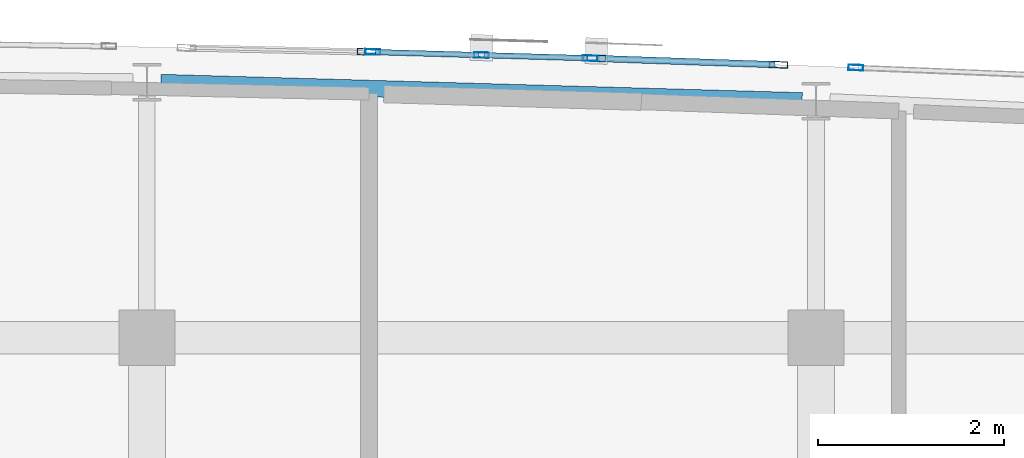
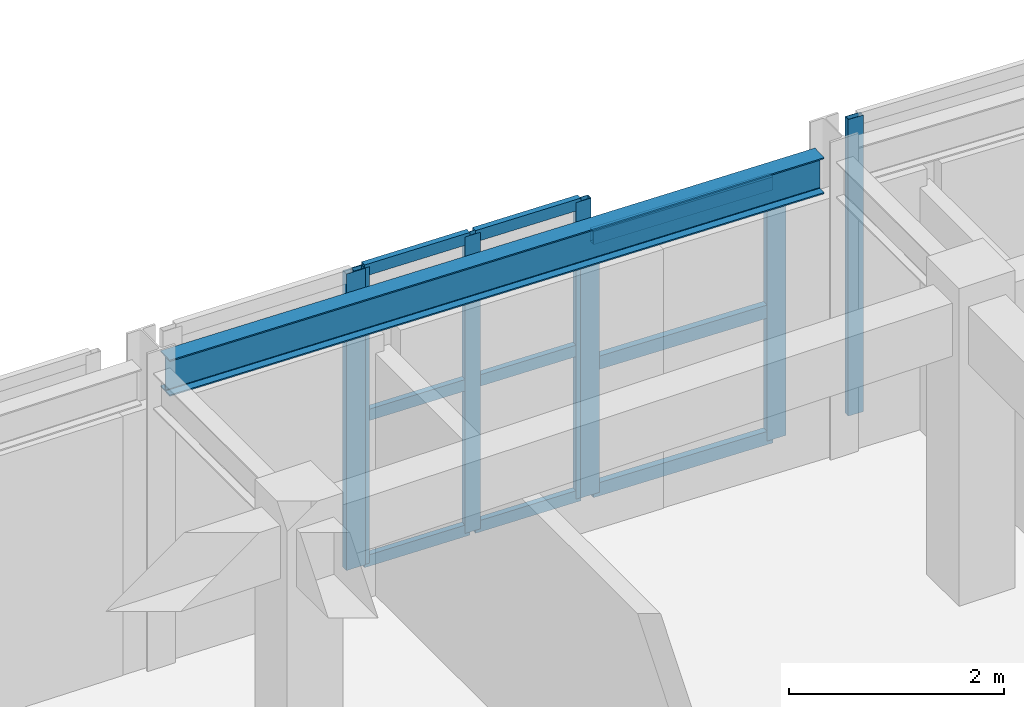
# One storey, part 19 of 51: 16 members, 1 beam, 4 elements without a shape of their own.
"""IFC4 building model written with IfcOpenShell, lengths in metres."""

from ifc_helpers import new_model, si_unit, direction, frame, origin, origin_2d, place, context, subcontext, project, spatial, hollow_rectangle, i_section, extrude, material, layer, layer_set, material_profile, profile_set, type_object, element, aggregate, save


model = new_model("IFC4")

# Units and contexts
model_context = context("Model", 3, precision=1e-05, world=origin(), true_north=direction((0.0, 1.0)))
body_context = subcontext(model_context, "Body", "Model", "MODEL_VIEW")
ifc_project = project(units=[si_unit("LENGTHUNIT", "METRE"), si_unit("AREAUNIT", "SQUARE_METRE"), si_unit("VOLUMEUNIT", "CUBIC_METRE"), si_unit("PLANEANGLEUNIT", "RADIAN"), si_unit("MASSUNIT", "GRAM", prefix="KILO")], contexts=[model_context])

# Site, building, storey
site_placement = place(None, origin())
site = spatial("IfcSite", under=ifc_project, at=site_placement, CompositionType="ELEMENT")
building_placement = place(site_placement, origin())
building = spatial("IfcBuilding", under=site, at=building_placement, Name="Carrowvane Square Congress Hotel", CompositionType="ELEMENT")
storey_placement = place(building_placement, frame((0.0, 0.0, 30.0)))
storey = spatial("IfcBuildingStorey", under=building, at=storey_placement, Name="L07", CompositionType="ELEMENT", Elevation=30.0)

# Beam
ifc_material_1 = material(Name="Steel S355", Category="steel")
ifc_material_profile_1 = material_profile(ifc_material_1, i_section(OverallWidth=0.1787109375, OverallDepth=0.409423828125, WebThickness=0.0087890625, FlangeThickness=0.014404296875, FilletRadius=0.01025390625, at=origin_2d()), Name="UKB 406x178x67")
ifc_profile_set_1 = profile_set([ifc_material_profile_1], Name="Steel S355")
beam_type = type_object("IfcBeamType", Name="BM-ST-UKB406", PredefinedType="BEAM", material=ifc_profile_set_1)
beam_placement = place(storey_placement, frame((105.349853515625, 116.1455078125, 3.1552734375), z_axis=(0.999591595899, -0.028576938382, 0.0), x_axis=(0.028576938382, 0.999591595899, 0.0)))
element("IfcBeam", 1, at=beam_placement, inside=storey, type_object=beam_type, Name="L08 curved north spandrel", PredefinedType="BEAM", context=body_context, shape_type="SweptSolid", body=[
    extrude(i_section(OverallWidth=0.1787109375, OverallDepth=0.409423828125, WebThickness=0.0087890625, FlangeThickness=0.014404296875, FilletRadius=0.01025390625, at=origin_2d()), origin(), (0.0, 0.0, 1.0), 6.903076171875),
])

# Curtain wall, members
ifc_material_2 = material(Name="Anodised aluminium", Category="aluminium")
ifc_layer_1 = layer(ifc_material_2, 0.2099609375)
ifc_layer_set_1 = layer_set([ifc_layer_1], Name="Anodised aluminium")
curtain_wall_type_1 = type_object("IfcCurtainWallType", Name="CW-SYS-5", PredefinedType="NOTDEFINED", material=ifc_layer_set_1)
curtain_wall_1_placement = place(storey_placement, origin())
curtain_wall_1 = element("IfcCurtainWall", 2, at=curtain_wall_1_placement, inside=storey, type_object=curtain_wall_type_1, Name="L07 unitised curtain wall 436", PredefinedType="NOTDEFINED")
ifc_material_3 = material(Name="Anodised aluminium", Category="aluminium")
ifc_material_profile_2 = material_profile(ifc_material_3, hollow_rectangle(XDim=0.06005859375, YDim=0.159912109375, WallThickness=0.00390625, at=origin_2d()), Name="CW-ML 60x160x4")
ifc_profile_set_2 = profile_set([ifc_material_profile_2], Name="Anodised aluminium")
member_type_1 = type_object("IfcMemberType", Name="CW-MUL-1", PredefinedType="MULLION", material=ifc_profile_set_2)
member_1_placement = place(storey_placement, frame((107.6298828125, 116.474853515625, 0.0), z_axis=(0.0, 0.0, 1.0), x_axis=(0.028638010501, 0.999589848065, 0.0)))
member_1 = element("IfcMember", 3, at=member_1_placement, type_object=member_type_1, Name="CW-5 mullion 1", PredefinedType="MULLION", context=body_context, shape_type="SweptSolid", body=[
    extrude(hollow_rectangle(XDim=0.06005859375, YDim=0.159912109375, WallThickness=0.00390625, at=origin_2d()), origin(), (0.0, 0.0, 1.0), 3.360107421875),
])
member_2_placement = place(storey_placement, frame((108.800048828125, 116.44140625, 0.0), z_axis=(0.0, 0.0, 1.0), x_axis=(0.028638010501, 0.999589848065, 0.0)))
member_2 = element("IfcMember", 4, at=member_2_placement, type_object=member_type_1, Name="CW-5 mullion 2", PredefinedType="MULLION", context=body_context, shape_type="SweptSolid", body=[
    extrude(hollow_rectangle(XDim=0.06005859375, YDim=0.159912109375, WallThickness=0.00390625, at=origin_2d()), origin(), (0.0, 0.0, 1.0), 3.360107421875),
])
member_3_placement = place(storey_placement, frame((109.969970703125, 116.40771484375, 0.0), z_axis=(0.0, 0.0, 1.0), x_axis=(0.028638010501, 0.999589848065, 0.0)))
member_3 = element("IfcMember", 5, at=member_3_placement, type_object=member_type_1, Name="CW-5 mullion 3", PredefinedType="MULLION", context=body_context, shape_type="SweptSolid", body=[
    extrude(hollow_rectangle(XDim=0.06005859375, YDim=0.159912109375, WallThickness=0.00390625, at=origin_2d()), origin(), (0.0, 0.0, 1.0), 3.360107421875),
])

# Curtain wall, member
ifc_material_4 = material(Name="Anodised aluminium", Category="aluminium")
ifc_layer_2 = layer(ifc_material_4, 0.23388671875)
ifc_layer_set_2 = layer_set([ifc_layer_2], Name="Anodised aluminium")
curtain_wall_type_2 = type_object("IfcCurtainWallType", Name="CW-SYS-7", PredefinedType="NOTDEFINED", material=ifc_layer_set_2)
curtain_wall_2_placement = place(storey_placement, origin())
curtain_wall_2 = element("IfcCurtainWall", 6, at=curtain_wall_2_placement, inside=storey, type_object=curtain_wall_type_2, Name="L07 unitised curtain wall 438", PredefinedType="NOTDEFINED")
member_4_placement = place(storey_placement, frame((112.828857421875, 116.306884765625, 0.0), z_axis=(0.0, 0.0, 1.0), x_axis=(0.040130957403, 0.999194428656, 0.0)))
member_4 = element("IfcMember", 7, at=member_4_placement, type_object=member_type_1, Name="CW-7 mullion 1", PredefinedType="MULLION", context=body_context, shape_type="SweptSolid", body=[
    extrude(hollow_rectangle(XDim=0.06005859375, YDim=0.159912109375, WallThickness=0.00390625, at=origin_2d()), origin(), (0.0, 0.0, 1.0), 3.360107421875),
])
aggregate(curtain_wall_2, [member_4])

ifc_material_5 = material(Name="Anodised aluminium", Category="aluminium")
ifc_layer_3 = layer(ifc_material_5, 0.197998046875)
ifc_layer_set_3 = layer_set([ifc_layer_3], Name="Anodised aluminium")
curtain_wall_type_3 = type_object("IfcCurtainWallType", Name="CW-SYS-4", PredefinedType="NOTDEFINED", material=ifc_layer_set_3)
curtain_wall_3_placement = place(storey_placement, origin())
curtain_wall_3 = element("IfcCurtainWall", 8, at=curtain_wall_3_placement, inside=storey, type_object=curtain_wall_type_3, Name="L07 unitised curtain wall 435", PredefinedType="NOTDEFINED")
ifc_material_6 = material(Name="Anodised aluminium", Category="aluminium")
ifc_material_profile_3 = material_profile(ifc_material_6, hollow_rectangle(XDim=0.070068359375, YDim=0.199951171875, WallThickness=0.0048828125, at=origin_2d()), Name="CW-ML 70x200x5")
ifc_profile_set_3 = profile_set([ifc_material_profile_3], Name="Anodised aluminium")
member_type_2 = type_object("IfcMemberType", Name="CW-MUL-2", PredefinedType="MULLION", material=ifc_profile_set_3)
member_5_placement = place(storey_placement, frame((107.56494140625, 116.4765625, 0.0), z_axis=(0.0, 0.0, 1.0), x_axis=(0.022517686606, 0.99974644475, 0.0)))
member_5 = element("IfcMember", 9, at=member_5_placement, type_object=member_type_2, Name="CW-4 mullion 2", PredefinedType="MULLION", context=body_context, shape_type="SweptSolid", body=[
    extrude(hollow_rectangle(XDim=0.070068359375, YDim=0.199951171875, WallThickness=0.0048828125, at=origin_2d()), origin(), (0.0, 0.0, 1.0), 3.360107421875),
])
aggregate(curtain_wall_3, [member_5])

# Curtain wall, members
ifc_material_7 = material(Name="Anodised aluminium", Category="aluminium")
ifc_layer_4 = layer(ifc_material_7, 0.221923828125)
ifc_layer_set_4 = layer_set([ifc_layer_4], Name="Anodised aluminium")
curtain_wall_type_4 = type_object("IfcCurtainWallType", Name="CW-SYS-6", PredefinedType="NOTDEFINED", material=ifc_layer_set_4)
curtain_wall_4_placement = place(storey_placement, origin())
curtain_wall_4 = element("IfcCurtainWall", 10, at=curtain_wall_4_placement, inside=storey, type_object=curtain_wall_type_4, Name="L07 unitised curtain wall 437", PredefinedType="NOTDEFINED")
member_6_placement = place(storey_placement, frame((110.034912109375, 116.40576171875, 0.0), z_axis=(0.0, 0.0, 1.0), x_axis=(0.034529948347, 0.999403663525, 0.0)))
member_6 = element("IfcMember", 11, at=member_6_placement, type_object=member_type_2, Name="CW-6 mullion 1", PredefinedType="MULLION", context=body_context, shape_type="SweptSolid", body=[
    extrude(hollow_rectangle(XDim=0.070068359375, YDim=0.199951171875, WallThickness=0.0048828125, at=origin_2d()), origin(), (0.0, 0.0, 1.0), 2.935546875),
])
member_7_placement = place(storey_placement, frame((111.99462890625, 116.338134765625, 0.0), z_axis=(0.0, 0.0, 1.0), x_axis=(0.034529948347, 0.999403663525, 0.0)))
member_7 = element("IfcMember", 12, at=member_7_placement, type_object=member_type_2, Name="CW-6 mullion 2", PredefinedType="MULLION", context=body_context, shape_type="SweptSolid", body=[
    extrude(hollow_rectangle(XDim=0.070068359375, YDim=0.199951171875, WallThickness=0.0048828125, at=origin_2d()), origin(), (0.0, 0.0, 1.0), 2.935546875),
])

# Member
ifc_material_8 = material(Name="Anodised aluminium", Category="aluminium")
ifc_material_profile_4 = material_profile(ifc_material_8, hollow_rectangle(XDim=0.06005859375, YDim=0.1298828125, WallThickness=0.00390625, at=origin_2d()), Name="CW-TR 60x130x4")
ifc_profile_set_4 = profile_set([ifc_material_profile_4], Name="Anodised aluminium")
member_type_3 = type_object("IfcMemberType", Name="CW-TRN-1", PredefinedType="USERDEFINED", material=ifc_profile_set_4)
member_8_placement = place(storey_placement, frame((107.659912109375, 116.473876953125, 0.030029296875), z_axis=(0.99959154835, -0.028578601558, 0.0), x_axis=(0.028578601558, 0.99959154835, 0.0)))
member_8 = element("IfcMember", 13, at=member_8_placement, type_object=member_type_3, Name="CW-5 transom 1.1", ObjectType="TRANSOM", PredefinedType="USERDEFINED", context=body_context, shape_type="SweptSolid", body=[
    extrude(hollow_rectangle(XDim=0.06005859375, YDim=0.1298828125, WallThickness=0.00390625, at=origin_2d()), origin(), (0.0, 0.0, 1.0), 1.110595703125),
])

member_9_placement = place(storey_placement, frame((107.659912109375, 116.473876953125, 1.679931640625), z_axis=(0.99959154835, -0.028578601558, 0.0), x_axis=(0.028578601558, 0.99959154835, 0.0)))
member_9 = element("IfcMember", 14, at=member_9_placement, type_object=member_type_3, Name="CW-5 transom 1.2", ObjectType="TRANSOM", PredefinedType="USERDEFINED", context=body_context, shape_type="SweptSolid", body=[
    extrude(hollow_rectangle(XDim=0.06005859375, YDim=0.1298828125, WallThickness=0.00390625, at=origin_2d()), origin(), (0.0, 0.0, 1.0), 1.110595703125),
])

member_10_placement = place(storey_placement, frame((107.659912109375, 116.473876953125, 3.330078125), z_axis=(0.99959154835, -0.028578601558, 0.0), x_axis=(0.028578601558, 0.99959154835, 0.0)))
member_10 = element("IfcMember", 15, at=member_10_placement, type_object=member_type_3, Name="CW-5 transom 1.3", ObjectType="TRANSOM", PredefinedType="USERDEFINED", context=body_context, shape_type="SweptSolid", body=[
    extrude(hollow_rectangle(XDim=0.06005859375, YDim=0.1298828125, WallThickness=0.00390625, at=origin_2d()), origin(), (0.0, 0.0, 1.0), 1.110595703125),
])

member_11_placement = place(storey_placement, frame((108.830078125, 116.4404296875, 0.030029296875), z_axis=(0.999591368743, -0.02858488296, 0.0), x_axis=(0.02858488296, 0.999591368743, 0.0)))
member_11 = element("IfcMember", 16, at=member_11_placement, type_object=member_type_3, Name="CW-5 transom 2.1", ObjectType="TRANSOM", PredefinedType="USERDEFINED", context=body_context, shape_type="SweptSolid", body=[
    extrude(hollow_rectangle(XDim=0.06005859375, YDim=0.1298828125, WallThickness=0.00390625, at=origin_2d()), origin(), (0.0, 0.0, 1.0), 1.1103515625),
])

member_12_placement = place(storey_placement, frame((108.830078125, 116.4404296875, 1.679931640625), z_axis=(0.999591368743, -0.02858488296, 0.0), x_axis=(0.02858488296, 0.999591368743, 0.0)))
member_12 = element("IfcMember", 17, at=member_12_placement, type_object=member_type_3, Name="CW-5 transom 2.2", ObjectType="TRANSOM", PredefinedType="USERDEFINED", context=body_context, shape_type="SweptSolid", body=[
    extrude(hollow_rectangle(XDim=0.06005859375, YDim=0.1298828125, WallThickness=0.00390625, at=origin_2d()), origin(), (0.0, 0.0, 1.0), 1.1103515625),
])

member_13_placement = place(storey_placement, frame((108.830078125, 116.4404296875, 3.330078125), z_axis=(0.999591368743, -0.02858488296, 0.0), x_axis=(0.02858488296, 0.999591368743, 0.0)))
member_13 = element("IfcMember", 18, at=member_13_placement, type_object=member_type_3, Name="CW-5 transom 2.3", ObjectType="TRANSOM", PredefinedType="USERDEFINED", context=body_context, shape_type="SweptSolid", body=[
    extrude(hollow_rectangle(XDim=0.06005859375, YDim=0.1298828125, WallThickness=0.00390625, at=origin_2d()), origin(), (0.0, 0.0, 1.0), 1.1103515625),
])

aggregate(curtain_wall_1, [member_1, member_2, member_3, member_8, member_9, member_10, member_11, member_12, member_13])

ifc_material_9 = material(Name="Anodised aluminium", Category="aluminium")
ifc_material_profile_5 = material_profile(ifc_material_9, hollow_rectangle(XDim=0.070068359375, YDim=0.14990234375, WallThickness=0.0048828125, at=origin_2d()), Name="CW-TR 70x150x5")
ifc_profile_set_5 = profile_set([ifc_material_profile_5], Name="Anodised aluminium")
member_type_4 = type_object("IfcMemberType", Name="CW-TRN-2", PredefinedType="USERDEFINED", material=ifc_profile_set_5)
member_14_placement = place(storey_placement, frame((110.070068359375, 116.404541015625, 0.034912109375), z_axis=(0.999400927338, -0.034609051367, 0.0), x_axis=(0.034609051367, 0.999400927338, 0.0)))
member_14 = element("IfcMember", 19, at=member_14_placement, type_object=member_type_4, Name="CW-6 transom 1.1", ObjectType="TRANSOM", PredefinedType="USERDEFINED", context=body_context, shape_type="SweptSolid", body=[
    extrude(hollow_rectangle(XDim=0.070068359375, YDim=0.14990234375, WallThickness=0.0048828125, at=origin_2d()), origin(), (0.0, 0.0, 1.0), 1.890625),
])

member_15_placement = place(storey_placement, frame((110.070068359375, 116.404541015625, 1.4677734375), z_axis=(0.999400927338, -0.034609051367, 0.0), x_axis=(0.034609051367, 0.999400927338, 0.0)))
member_15 = element("IfcMember", 20, at=member_15_placement, type_object=member_type_4, Name="CW-6 transom 1.2", ObjectType="TRANSOM", PredefinedType="USERDEFINED", context=body_context, shape_type="SweptSolid", body=[
    extrude(hollow_rectangle(XDim=0.070068359375, YDim=0.14990234375, WallThickness=0.0048828125, at=origin_2d()), origin(), (0.0, 0.0, 1.0), 1.890625),
])

member_16_placement = place(storey_placement, frame((110.070068359375, 116.404541015625, 2.900634765625), z_axis=(0.999400927338, -0.034609051367, 0.0), x_axis=(0.034609051367, 0.999400927338, 0.0)))
member_16 = element("IfcMember", 21, at=member_16_placement, type_object=member_type_4, Name="CW-6 transom 1.3", ObjectType="TRANSOM", PredefinedType="USERDEFINED", context=body_context, shape_type="SweptSolid", body=[
    extrude(hollow_rectangle(XDim=0.070068359375, YDim=0.14990234375, WallThickness=0.0048828125, at=origin_2d()), origin(), (0.0, 0.0, 1.0), 1.890625),
])

aggregate(curtain_wall_4, [member_6, member_7, member_14, member_15, member_16])

save(model, "model.ifc")
